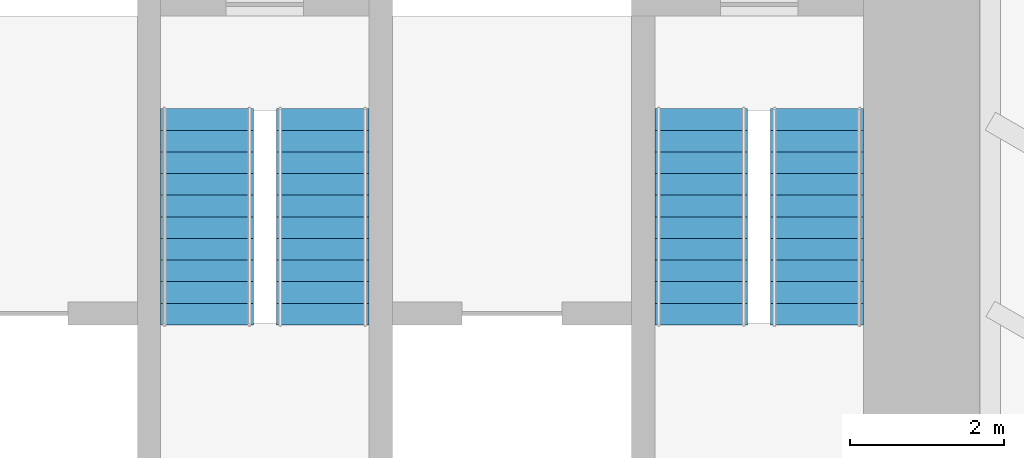
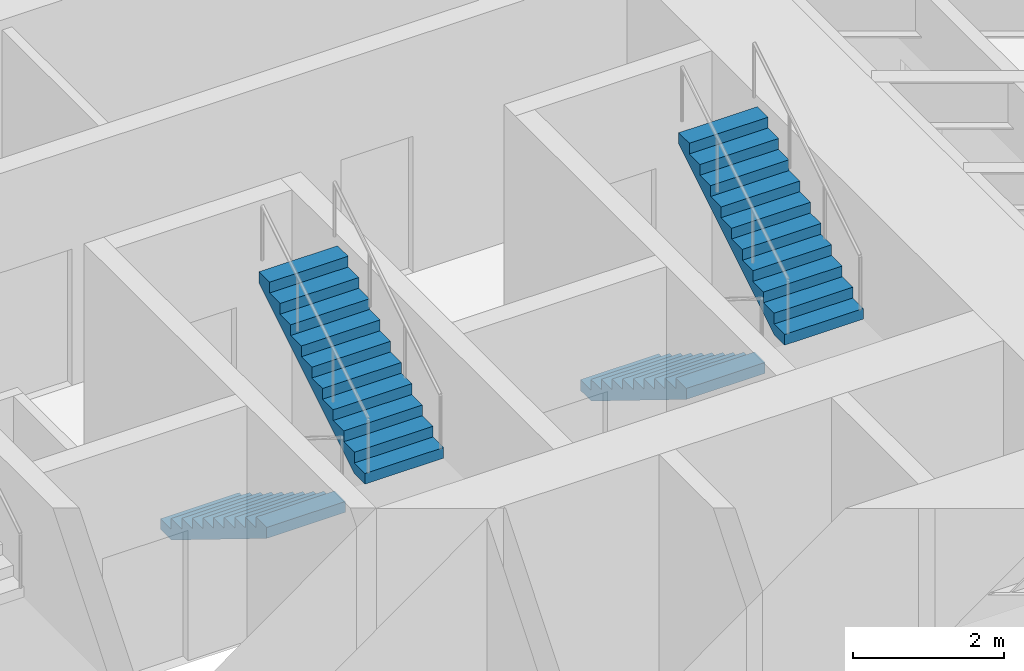
# One storey, part 16 of 17: 4 stair flights, 2 elements without a shape of their own.
"""IFC4 building model written with IfcOpenShell, lengths in metres."""

from ifc_helpers import new_model, si_unit, direction, frame, origin, place, context, subcontext, project, spatial, polyline, outline, extrude, material, type_object, element, aggregate, save


model = new_model("IFC4")

# Units and contexts
model_context = context("Model", 3, precision=1e-05, world=origin(), true_north=direction((0.0, 1.0)))
body_context = subcontext(model_context, "Body", "Model", "MODEL_VIEW")
ifc_project = project(units=[si_unit("LENGTHUNIT", "METRE"), si_unit("AREAUNIT", "SQUARE_METRE"), si_unit("VOLUMEUNIT", "CUBIC_METRE"), si_unit("PLANEANGLEUNIT", "RADIAN"), si_unit("MASSUNIT", "GRAM", prefix="KILO")], contexts=[model_context])

# Site, building, storey
site_placement = place(None, origin())
site = spatial("IfcSite", under=ifc_project, at=site_placement, CompositionType="ELEMENT")
building_placement = place(site_placement, origin())
building = spatial("IfcBuilding", under=site, at=building_placement, Name="Sandreach Pilgrim Tower", CompositionType="ELEMENT")
storey_placement = place(building_placement, frame((0.0, 0.0, 42.0)))
storey = spatial("IfcBuildingStorey", under=building, at=storey_placement, Name="L09", CompositionType="ELEMENT", Elevation=42.0)

# Stair, stair flights
ifc_material_1 = material(Name="Concrete 8000 psi", Category="concrete")
stair_type = type_object("IfcStairType", Name="Core exit stair", PredefinedType="HALF_TURN_STAIR", material=ifc_material_1)
stair_1_placement = place(storey_placement, origin())
stair_1 = element("IfcStair", 1, at=stair_1_placement, inside=storey, type_object=stair_type, Name="Exit stair ST3 L09", PredefinedType="HALF_TURN_STAIR")
ifc_material_2 = material(Name="Concrete 8000 psi", Category="concrete")
stair_flight_type = type_object("IfcStairFlightType", Name="Core stair flight 1200", PredefinedType="STRAIGHT", material=ifc_material_2)
stair_flight_1_placement = place(storey_placement, frame((-0.75, -0.39990234375, 0.0), z_axis=(0.0, 0.0, 1.0), x_axis=(0.0, -1.0, 0.0)))
stair_flight_1 = element("IfcStairFlight", 2, at=stair_flight_1_placement, type_object=stair_flight_type, Name="ST3 flight 1", NumberOfRisers=11, NumberOfTreads=10, PredefinedType="STRAIGHT", RiserHeight=0.172727273, TreadLength=0.28, context=body_context, shape_type="SweptSolid", body=[
    extrude(outline(polyline([(0.0, 0.0), (0.0, 0.172607421875), (0.280029296875, 0.172607421875), (0.280029296875, 0.345458984375), (0.56005859375, 0.345458984375), (0.56005859375, 0.51806640625), (0.840087890625, 0.51806640625), (0.840087890625, 0.69091796875), (1.1201171875, 0.69091796875), (1.1201171875, 0.863525390625), (1.39990234375, 0.863525390625), (1.39990234375, 1.036376953125), (1.679931640625, 1.036376953125), (1.679931640625, 1.208984375), (1.9599609375, 1.208984375), (1.9599609375, 1.3818359375), (2.239990234375, 1.3818359375), (2.239990234375, 1.554443359375), (2.52001953125, 1.554443359375), (2.52001953125, 1.727294921875), (2.800048828125, 1.727294921875), (2.800048828125, 1.89990234375), (2.800048828125, 1.551025390625), (0.285400390625, 0.0), (0.0, 0.0)])), frame((0.0, 0.60009765625, 0.0), z_axis=(0.0, -1.0, 0.0), x_axis=(1.0, 0.0, 0.0)), (0.0, 0.0, 1.0), 1.199951171875),
])
stair_flight_2_placement = place(storey_placement, frame((0.75, -3.199951171875, 1.89990234375), z_axis=(0.0, 0.0, 1.0), x_axis=(0.0, 1.0, 0.0)))
stair_flight_2 = element("IfcStairFlight", 3, at=stair_flight_2_placement, type_object=stair_flight_type, Name="ST3 flight 2", NumberOfRisers=11, NumberOfTreads=10, PredefinedType="STRAIGHT", RiserHeight=0.172727273, TreadLength=0.28, context=body_context, shape_type="SweptSolid", body=[
    extrude(outline(polyline([(0.0, 0.0), (0.0, 0.172607421875), (0.280029296875, 0.172607421875), (0.280029296875, 0.345458984375), (0.56005859375, 0.345458984375), (0.56005859375, 0.51806640625), (0.840087890625, 0.51806640625), (0.840087890625, 0.69091796875), (1.1201171875, 0.69091796875), (1.1201171875, 0.863525390625), (1.39990234375, 0.863525390625), (1.39990234375, 1.036376953125), (1.679931640625, 1.036376953125), (1.679931640625, 1.208984375), (1.9599609375, 1.208984375), (1.9599609375, 1.3818359375), (2.239990234375, 1.3818359375), (2.239990234375, 1.554443359375), (2.52001953125, 1.554443359375), (2.52001953125, 1.727294921875), (2.800048828125, 1.727294921875), (2.800048828125, 1.89990234375), (2.800048828125, 1.551025390625), (0.285400390625, 0.0), (0.0, 0.0)])), frame((0.0, 0.60009765625, 0.0), z_axis=(0.0, -1.0, 0.0), x_axis=(1.0, 0.0, 0.0)), (0.0, 0.0, 1.0), 1.199951171875),
])
aggregate(stair_1, [stair_flight_1, stair_flight_2])

stair_2_placement = place(storey_placement, origin())
stair_2 = element("IfcStair", 4, at=stair_2_placement, inside=storey, type_object=stair_type, Name="Exit stair ST2 L09", PredefinedType="HALF_TURN_STAIR")
stair_flight_3_placement = place(storey_placement, frame((5.64990234375, -0.39990234375, 0.0), z_axis=(0.0, 0.0, 1.0), x_axis=(0.0, -1.0, 0.0)))
stair_flight_3 = element("IfcStairFlight", 5, at=stair_flight_3_placement, type_object=stair_flight_type, Name="ST2 flight 1", NumberOfRisers=11, NumberOfTreads=10, PredefinedType="STRAIGHT", RiserHeight=0.172727273, TreadLength=0.28, context=body_context, shape_type="SweptSolid", body=[
    extrude(outline(polyline([(0.0, 0.0), (0.0, 0.172607421875), (0.280029296875, 0.172607421875), (0.280029296875, 0.345458984375), (0.56005859375, 0.345458984375), (0.56005859375, 0.51806640625), (0.840087890625, 0.51806640625), (0.840087890625, 0.69091796875), (1.1201171875, 0.69091796875), (1.1201171875, 0.863525390625), (1.39990234375, 0.863525390625), (1.39990234375, 1.036376953125), (1.679931640625, 1.036376953125), (1.679931640625, 1.208984375), (1.9599609375, 1.208984375), (1.9599609375, 1.3818359375), (2.239990234375, 1.3818359375), (2.239990234375, 1.554443359375), (2.52001953125, 1.554443359375), (2.52001953125, 1.727294921875), (2.800048828125, 1.727294921875), (2.800048828125, 1.89990234375), (2.800048828125, 1.551025390625), (0.285400390625, 0.0), (0.0, 0.0)])), frame((0.0, 0.60009765625, 0.0), z_axis=(0.0, -1.0, 0.0), x_axis=(1.0, 0.0, 0.0)), (0.0, 0.0, 1.0), 1.199951171875),
])
stair_flight_4_placement = place(storey_placement, frame((7.14990234375, -3.199951171875, 1.89990234375), z_axis=(0.0, 0.0, 1.0), x_axis=(0.0, 1.0, 0.0)))
stair_flight_4 = element("IfcStairFlight", 6, at=stair_flight_4_placement, type_object=stair_flight_type, Name="ST2 flight 2", NumberOfRisers=11, NumberOfTreads=10, PredefinedType="STRAIGHT", RiserHeight=0.172727273, TreadLength=0.28, context=body_context, shape_type="SweptSolid", body=[
    extrude(outline(polyline([(0.0, 0.0), (0.0, 0.172607421875), (0.280029296875, 0.172607421875), (0.280029296875, 0.345458984375), (0.56005859375, 0.345458984375), (0.56005859375, 0.51806640625), (0.840087890625, 0.51806640625), (0.840087890625, 0.69091796875), (1.1201171875, 0.69091796875), (1.1201171875, 0.863525390625), (1.39990234375, 0.863525390625), (1.39990234375, 1.036376953125), (1.679931640625, 1.036376953125), (1.679931640625, 1.208984375), (1.9599609375, 1.208984375), (1.9599609375, 1.3818359375), (2.239990234375, 1.3818359375), (2.239990234375, 1.554443359375), (2.52001953125, 1.554443359375), (2.52001953125, 1.727294921875), (2.800048828125, 1.727294921875), (2.800048828125, 1.89990234375), (2.800048828125, 1.551025390625), (0.285400390625, 0.0), (0.0, 0.0)])), frame((0.0, 0.60009765625, 0.0), z_axis=(0.0, -1.0, 0.0), x_axis=(1.0, 0.0, 0.0)), (0.0, 0.0, 1.0), 1.199951171875),
])
aggregate(stair_2, [stair_flight_3, stair_flight_4])

save(model, "model.ifc")
